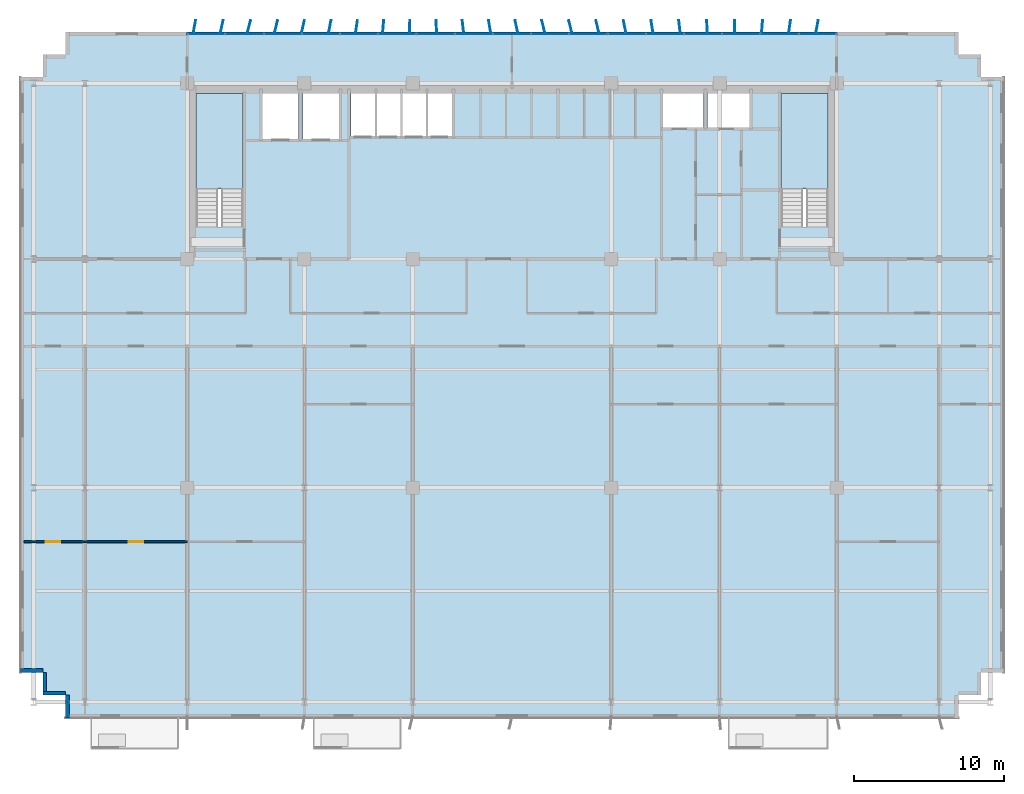
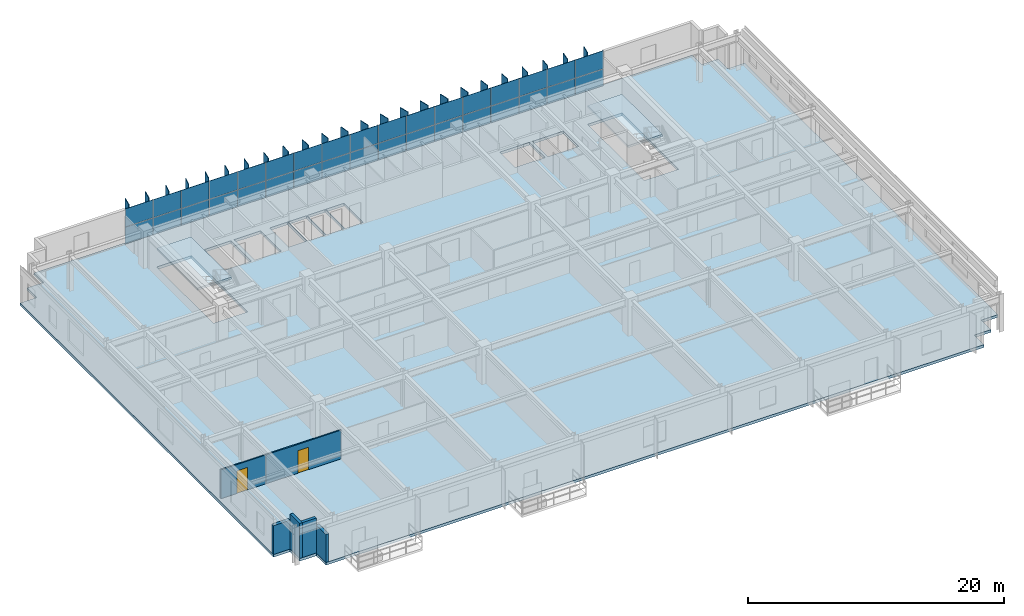
# One storey, part 14 of 21: 58 plates, 6 walls, 3 slabs, 2 doors, 2 openings, 3 elements without a shape of their own.
"""IFC4 building model written with IfcOpenShell, lengths in metres."""

from ifc_helpers import new_model, si_unit, direction, frame, frame_2d, origin, origin_2d, place, context, subcontext, project, spatial, polyline, rectangle, outline, extrude, source, transform, mapped, material, layer, layer_set, type_object, element, fill, aggregate, save


model = new_model("IFC4")

# Units and contexts
model_context = context("Model", 3, precision=1e-05, world=origin(), true_north=direction((0.0, 1.0)))
body_context = subcontext(model_context, "Body", "Model", "MODEL_VIEW")
ifc_project = project(units=[si_unit("LENGTHUNIT", "METRE"), si_unit("AREAUNIT", "SQUARE_METRE"), si_unit("VOLUMEUNIT", "CUBIC_METRE"), si_unit("PLANEANGLEUNIT", "RADIAN"), si_unit("MASSUNIT", "GRAM", prefix="KILO")], contexts=[model_context])

# Site, building, storey
site_placement = place(None, origin())
site = spatial("IfcSite", under=ifc_project, at=site_placement, CompositionType="ELEMENT")
building_placement = place(site_placement, origin())
building = spatial("IfcBuilding", under=site, at=building_placement, Name="Trelvane Seafront Commons", CompositionType="ELEMENT")
storey_placement = place(building_placement, frame((0.0, 0.0, 37.89990234375)))
storey = spatial("IfcBuildingStorey", under=building, at=storey_placement, Name="L09", CompositionType="ELEMENT", Elevation=37.89990234375)

# Stair, slab
ifc_material_1 = material(Name="Concrete C40/50", Category="concrete")
stair_type_1 = type_object("IfcStairType", Name="ARCH-STR-ST-1-R20-180", PredefinedType="HALF_TURN_STAIR", material=ifc_material_1)
stair_1_placement = place(storey_placement, origin())
stair_1 = element("IfcStair", 1, at=stair_1_placement, inside=storey, type_object=stair_type_1, Name="L09 West Protected Firefighting Exit Stair ST-1", PredefinedType="HALF_TURN_STAIR")
ifc_layer_1 = layer(ifc_material_1, 0.199951171875, Name="ARCH-LND-200")
ifc_layer_set_1 = layer_set([ifc_layer_1], Name="Concrete C40/50")
slab_type_1 = type_object("IfcSlabType", Name="ARCH-LND-200", PredefinedType="LANDING", material=ifc_layer_set_1)
slab_1_placement = place(storey_placement, frame((0.0, 0.0, 1.60009765625)))
slab_1 = element("IfcSlab", 2, at=slab_1_placement, type_object=slab_type_1, Name="ST-1 landing 1", PredefinedType="LANDING", context=body_context, shape_type="SweptSolid", body=[
    extrude(outline(polyline([(19.300048828125, 38.070068359375), (19.300048828125, 44.39990234375), (16.199951171875, 44.39990234375), (16.199951171875, 38.070068359375), (19.300048828125, 38.070068359375)])), origin(), (0.0, 0.0, 1.0), 0.199951171875),
])
aggregate(stair_1, [slab_1])

stair_type_2 = type_object("IfcStairType", Name="ARCH-STR-ST-2-R20-180", PredefinedType="HALF_TURN_STAIR", material=ifc_material_1)
stair_2_placement = place(storey_placement, origin())
stair_2 = element("IfcStair", 3, at=stair_2_placement, inside=storey, type_object=stair_type_2, Name="L09 East Protected Firefighting Exit Stair ST-2", PredefinedType="HALF_TURN_STAIR")
slab_2_placement = place(storey_placement, frame((0.0, 0.0, 1.60009765625)))
slab_2 = element("IfcSlab", 4, at=slab_2_placement, type_object=slab_type_1, Name="ST-2 landing 1", PredefinedType="LANDING", context=body_context, shape_type="SweptSolid", body=[
    extrude(outline(polyline([(58.199951171875, 38.070068359375), (58.199951171875, 44.39990234375), (55.10009765625, 44.39990234375), (55.10009765625, 38.070068359375), (58.199951171875, 38.070068359375)])), origin(), (0.0, 0.0, 1.0), 0.199951171875),
])
aggregate(stair_2, [slab_2])

# Slab
ifc_material_2 = material(Name="Concrete C50/60", Category="concrete")
ifc_layer_2 = layer(ifc_material_2, 0.260009765625, Name="STR-SLB-Z1-260")
ifc_layer_set_2 = layer_set([ifc_layer_2], Name="Concrete C50/60")
slab_type_2 = type_object("IfcSlabType", Name="STR-SLB-Z1-260", PredefinedType="FLOOR", material=ifc_layer_set_2)
slab_3_placement = place(storey_placement, frame((0.0, 0.0, -0.260009765625)))
element("IfcSlab", 5, at=slab_3_placement, inside=storey, type_object=slab_type_2, Name="L09 Structural Floor Slab", PredefinedType="FLOOR", context=body_context, shape_type="SweptSolid", body=[
    extrude(outline(polyline([(7.5, 2.89990234375), (66.89990234375, 2.89990234375), (66.89990234375, 4.39990234375), (68.39990234375, 4.39990234375), (68.39990234375, 5.89990234375), (69.89990234375, 5.89990234375), (69.89990234375, 45.5), (68.39990234375, 45.5), (68.39990234375, 47.0), (66.89990234375, 47.0), (66.89990234375, 48.5), (7.5, 48.5), (7.5, 47.0), (6.0, 47.0), (6.0, 45.5), (4.5, 45.5), (4.5, 5.89990234375), (6.0, 5.89990234375), (6.0, 4.39990234375), (7.5, 4.39990234375), (7.5, 2.89990234375)]), holes=[polyline([(19.300048828125, 35.550048828125), (16.199951171875, 35.550048828125), (16.199951171875, 44.39990234375), (19.300048828125, 44.39990234375), (19.300048828125, 35.550048828125)]), polyline([(58.199951171875, 35.550048828125), (55.10009765625, 35.550048828125), (55.10009765625, 44.39990234375), (58.199951171875, 44.39990234375), (58.199951171875, 35.550048828125)]), polyline([(23.0, 41.39990234375), (20.60009765625, 41.39990234375), (20.60009765625, 44.60009765625), (23.0, 44.60009765625), (23.0, 41.39990234375)]), polyline([(23.300048828125, 41.39990234375), (23.300048828125, 44.60009765625), (25.699951171875, 44.60009765625), (25.699951171875, 41.39990234375), (23.300048828125, 41.39990234375)]), polyline([(26.5, 41.60009765625), (26.5, 44.60009765625), (28.1201171875, 44.60009765625), (28.1201171875, 41.60009765625), (26.5, 41.60009765625)]), polyline([(29.820068359375, 41.60009765625), (28.199951171875, 41.60009765625), (28.199951171875, 44.60009765625), (29.820068359375, 44.60009765625), (29.820068359375, 41.60009765625)]), polyline([(31.52001953125, 41.60009765625), (29.89990234375, 41.60009765625), (29.89990234375, 44.60009765625), (31.52001953125, 44.60009765625), (31.52001953125, 41.60009765625)]), polyline([(33.219970703125, 41.60009765625), (31.60009765625, 41.60009765625), (31.60009765625, 44.60009765625), (33.219970703125, 44.60009765625), (33.219970703125, 41.60009765625)]), polyline([(47.25, 42.14990234375), (47.25, 44.550048828125), (49.949951171875, 44.550048828125), (49.949951171875, 42.14990234375), (47.25, 42.14990234375)]), polyline([(50.199951171875, 42.14990234375), (50.199951171875, 44.550048828125), (53.0, 44.550048828125), (53.0, 42.14990234375), (50.199951171875, 42.14990234375)])]), origin(), (0.0, 0.0, 1.0), 0.260009765625),
])

# Curtain wall, plates
ifc_material_3 = material(Name="Anodised pale-silver aluminium", Category="aluminium")
curtain_wall_type = type_object("IfcCurtainWallType", Name="ARCH-CW2-LOWTOWER", PredefinedType="NOTDEFINED", material=ifc_material_3)
curtain_wall_placement = place(storey_placement, origin())
curtain_wall = element("IfcCurtainWall", 6, at=curtain_wall_placement, inside=storey, type_object=curtain_wall_type, Name="CW-L09-0033", PredefinedType="NOTDEFINED")
ifc_material_4 = material(Name="Low-E coastal double glazing", Category="glass")
ifc_layer_3 = layer(ifc_material_4, 0.033935546875, Name="ARCH-CW-GLAZ-34")
ifc_layer_set_3 = layer_set([ifc_layer_3], Name="Low-E coastal double glazing")
plate_type_1 = type_object("IfcPlateType", Name="ARCH-CW-GLAZ-34", PredefinedType="CURTAIN_PANEL", material=ifc_layer_set_3)
shared_shape_1 = source(origin(), body_context, "Body", "SweptSolid", [
    extrude(rectangle(XDim=2.51708984375, YDim=0.031982421875, at=origin_2d()), origin(), (0.0, 0.0, 1.0), 1.5849609375),
])
plate_1_placement = place(storey_placement, frame((16.87060546875, 48.3701171875, 0.0), z_axis=(0.0, 0.0, 1.0), x_axis=(1.0, 0.0, 0.0)))
plate_1 = element("IfcPlate", 7, at=plate_1_placement, type_object=plate_type_1, Name="CW-L09-0033-P00-1", PredefinedType="CURTAIN_PANEL", context=body_context, shape_type="MappedRepresentation", body=[
    mapped(shared_shape_1, transform((0.0, 0.0, 0.0), x_axis=(1.0, 0.0, 0.0), y_axis=(0.0, 1.0, 0.0), z_axis=(0.0, 0.0, 1.0), scale=1.0)),
])
plate_2_placement = place(storey_placement, frame((19.411865234375, 48.3701171875, 0.0), z_axis=(0.0, 0.0, 1.0), x_axis=(1.0, 0.0, 0.0)))
plate_2 = element("IfcPlate", 8, at=plate_2_placement, type_object=plate_type_1, Name="CW-L09-0033-P01-1", PredefinedType="CURTAIN_PANEL", context=body_context, shape_type="MappedRepresentation", body=[
    mapped(shared_shape_1, transform((0.0, 0.0, 0.0), x_axis=(1.0, 0.0, 0.0), y_axis=(0.0, 1.0, 0.0), z_axis=(0.0, 0.0, 1.0), scale=1.0)),
])
plate_3_placement = place(storey_placement, frame((21.952880859375, 48.3701171875, 0.0), z_axis=(0.0, 0.0, 1.0), x_axis=(1.0, 0.0, 0.0)))
plate_3 = element("IfcPlate", 9, at=plate_3_placement, type_object=plate_type_1, Name="CW-L09-0033-P02-1", PredefinedType="CURTAIN_PANEL", context=body_context, shape_type="MappedRepresentation", body=[
    mapped(shared_shape_1, transform((0.0, 0.0, 0.0), x_axis=(1.0, 0.0, 0.0), y_axis=(0.0, 1.0, 0.0), z_axis=(0.0, 0.0, 1.0), scale=1.0)),
])
plate_4_placement = place(storey_placement, frame((24.494140625, 48.3701171875, 0.0), z_axis=(0.0, 0.0, 1.0), x_axis=(1.0, 0.0, 0.0)))
plate_4 = element("IfcPlate", 10, at=plate_4_placement, type_object=plate_type_1, Name="CW-L09-0033-P03-1", PredefinedType="CURTAIN_PANEL", context=body_context, shape_type="MappedRepresentation", body=[
    mapped(shared_shape_1, transform((0.0, 0.0, 0.0), x_axis=(1.0, 0.0, 0.0), y_axis=(0.0, 1.0, 0.0), z_axis=(0.0, 0.0, 1.0), scale=1.0)),
])
plate_5_placement = place(storey_placement, frame((27.035400390625, 48.3701171875, 0.0), z_axis=(0.0, 0.0, 1.0), x_axis=(1.0, 0.0, 0.0)))
plate_5 = element("IfcPlate", 11, at=plate_5_placement, type_object=plate_type_1, Name="CW-L09-0033-P04-1", PredefinedType="CURTAIN_PANEL", context=body_context, shape_type="MappedRepresentation", body=[
    mapped(shared_shape_1, transform((0.0, 0.0, 0.0), x_axis=(1.0, 0.0, 0.0), y_axis=(0.0, 1.0, 0.0), z_axis=(0.0, 0.0, 1.0), scale=1.0)),
])
plate_6_placement = place(storey_placement, frame((29.576416015625, 48.3701171875, 0.0), z_axis=(0.0, 0.0, 1.0), x_axis=(1.0, 0.0, 0.0)))
plate_6 = element("IfcPlate", 12, at=plate_6_placement, type_object=plate_type_1, Name="CW-L09-0033-P05-1", PredefinedType="CURTAIN_PANEL", context=body_context, shape_type="MappedRepresentation", body=[
    mapped(shared_shape_1, transform((0.0, 0.0, 0.0), x_axis=(1.0, 0.0, 0.0), y_axis=(0.0, 1.0, 0.0), z_axis=(0.0, 0.0, 1.0), scale=1.0)),
])
plate_7_placement = place(storey_placement, frame((32.11767578125, 48.3701171875, 0.0), z_axis=(0.0, 0.0, 1.0), x_axis=(1.0, 0.0, 0.0)))
plate_7 = element("IfcPlate", 13, at=plate_7_placement, type_object=plate_type_1, Name="CW-L09-0033-P06-1", PredefinedType="CURTAIN_PANEL", context=body_context, shape_type="MappedRepresentation", body=[
    mapped(shared_shape_1, transform((0.0, 0.0, 0.0), x_axis=(1.0, 0.0, 0.0), y_axis=(0.0, 1.0, 0.0), z_axis=(0.0, 0.0, 1.0), scale=1.0)),
])
plate_8_placement = place(storey_placement, frame((34.65869140625, 48.3701171875, 0.0), z_axis=(0.0, 0.0, 1.0), x_axis=(1.0, 0.0, 0.0)))
plate_8 = element("IfcPlate", 14, at=plate_8_placement, type_object=plate_type_1, Name="CW-L09-0033-P07-1", PredefinedType="CURTAIN_PANEL", context=body_context, shape_type="MappedRepresentation", body=[
    mapped(shared_shape_1, transform((0.0, 0.0, 0.0), x_axis=(1.0, 0.0, 0.0), y_axis=(0.0, 1.0, 0.0), z_axis=(0.0, 0.0, 1.0), scale=1.0)),
])
plate_9_placement = place(storey_placement, frame((37.199951171875, 48.3701171875, 0.0), z_axis=(0.0, 0.0, 1.0), x_axis=(1.0, 0.0, 0.0)))
plate_9 = element("IfcPlate", 15, at=plate_9_placement, type_object=plate_type_1, Name="CW-L09-0033-P08-1", PredefinedType="CURTAIN_PANEL", context=body_context, shape_type="MappedRepresentation", body=[
    mapped(shared_shape_1, transform((0.0, 0.0, 0.0), x_axis=(1.0, 0.0, 0.0), y_axis=(0.0, 1.0, 0.0), z_axis=(0.0, 0.0, 1.0), scale=1.0)),
])
plate_10_placement = place(storey_placement, frame((39.7412109375, 48.3701171875, 0.0), z_axis=(0.0, 0.0, 1.0), x_axis=(1.0, 0.0, 0.0)))
plate_10 = element("IfcPlate", 16, at=plate_10_placement, type_object=plate_type_1, Name="CW-L09-0033-P09-1", PredefinedType="CURTAIN_PANEL", context=body_context, shape_type="MappedRepresentation", body=[
    mapped(shared_shape_1, transform((0.0, 0.0, 0.0), x_axis=(1.0, 0.0, 0.0), y_axis=(0.0, 1.0, 0.0), z_axis=(0.0, 0.0, 1.0), scale=1.0)),
])
plate_11_placement = place(storey_placement, frame((42.282470703125, 48.3701171875, 0.0), z_axis=(0.0, 0.0, 1.0), x_axis=(1.0, 0.0, 0.0)))
plate_11 = element("IfcPlate", 17, at=plate_11_placement, type_object=plate_type_1, Name="CW-L09-0033-P10-1", PredefinedType="CURTAIN_PANEL", context=body_context, shape_type="MappedRepresentation", body=[
    mapped(shared_shape_1, transform((0.0, 0.0, 0.0), x_axis=(1.0, 0.0, 0.0), y_axis=(0.0, 1.0, 0.0), z_axis=(0.0, 0.0, 1.0), scale=1.0)),
])
plate_12_placement = place(storey_placement, frame((44.823486328125, 48.3701171875, 0.0), z_axis=(0.0, 0.0, 1.0), x_axis=(1.0, 0.0, 0.0)))
plate_12 = element("IfcPlate", 18, at=plate_12_placement, type_object=plate_type_1, Name="CW-L09-0033-P11-1", PredefinedType="CURTAIN_PANEL", context=body_context, shape_type="MappedRepresentation", body=[
    mapped(shared_shape_1, transform((0.0, 0.0, 0.0), x_axis=(1.0, 0.0, 0.0), y_axis=(0.0, 1.0, 0.0), z_axis=(0.0, 0.0, 1.0), scale=1.0)),
])
plate_13_placement = place(storey_placement, frame((47.36474609375, 48.3701171875, 0.0), z_axis=(0.0, 0.0, 1.0), x_axis=(1.0, 0.0, 0.0)))
plate_13 = element("IfcPlate", 19, at=plate_13_placement, type_object=plate_type_1, Name="CW-L09-0033-P12-1", PredefinedType="CURTAIN_PANEL", context=body_context, shape_type="MappedRepresentation", body=[
    mapped(shared_shape_1, transform((0.0, 0.0, 0.0), x_axis=(1.0, 0.0, 0.0), y_axis=(0.0, 1.0, 0.0), z_axis=(0.0, 0.0, 1.0), scale=1.0)),
])
plate_14_placement = place(storey_placement, frame((49.906005859375, 48.3701171875, 0.0), z_axis=(0.0, 0.0, 1.0), x_axis=(1.0, 0.0, 0.0)))
plate_14 = element("IfcPlate", 20, at=plate_14_placement, type_object=plate_type_1, Name="CW-L09-0033-P13-1", PredefinedType="CURTAIN_PANEL", context=body_context, shape_type="MappedRepresentation", body=[
    mapped(shared_shape_1, transform((0.0, 0.0, 0.0), x_axis=(1.0, 0.0, 0.0), y_axis=(0.0, 1.0, 0.0), z_axis=(0.0, 0.0, 1.0), scale=1.0)),
])
plate_15_placement = place(storey_placement, frame((52.447021484375, 48.3701171875, 0.0), z_axis=(0.0, 0.0, 1.0), x_axis=(1.0, 0.0, 0.0)))
plate_15 = element("IfcPlate", 21, at=plate_15_placement, type_object=plate_type_1, Name="CW-L09-0033-P14-1", PredefinedType="CURTAIN_PANEL", context=body_context, shape_type="MappedRepresentation", body=[
    mapped(shared_shape_1, transform((0.0, 0.0, 0.0), x_axis=(1.0, 0.0, 0.0), y_axis=(0.0, 1.0, 0.0), z_axis=(0.0, 0.0, 1.0), scale=1.0)),
])
plate_16_placement = place(storey_placement, frame((54.98828125, 48.3701171875, 0.0), z_axis=(0.0, 0.0, 1.0), x_axis=(1.0, 0.0, 0.0)))
plate_16 = element("IfcPlate", 22, at=plate_16_placement, type_object=plate_type_1, Name="CW-L09-0033-P15-1", PredefinedType="CURTAIN_PANEL", context=body_context, shape_type="MappedRepresentation", body=[
    mapped(shared_shape_1, transform((0.0, 0.0, 0.0), x_axis=(1.0, 0.0, 0.0), y_axis=(0.0, 1.0, 0.0), z_axis=(0.0, 0.0, 1.0), scale=1.0)),
])
plate_17_placement = place(storey_placement, frame((57.529296875, 48.3701171875, 0.0), z_axis=(0.0, 0.0, 1.0), x_axis=(1.0, 0.0, 0.0)))
plate_17 = element("IfcPlate", 23, at=plate_17_placement, type_object=plate_type_1, Name="CW-L09-0033-P16-1", PredefinedType="CURTAIN_PANEL", context=body_context, shape_type="MappedRepresentation", body=[
    mapped(shared_shape_1, transform((0.0, 0.0, 0.0), x_axis=(1.0, 0.0, 0.0), y_axis=(0.0, 1.0, 0.0), z_axis=(0.0, 0.0, 1.0), scale=1.0)),
])
shared_shape_2 = source(origin(), body_context, "Body", "SweptSolid", [
    extrude(rectangle(XDim=2.51708984375, YDim=0.031982421875, at=origin_2d()), origin(), (0.0, 0.0, 1.0), 1.718994140625),
])
plate_18_placement = place(storey_placement, frame((16.87060546875, 48.3701171875, 1.62109375), z_axis=(0.0, 0.0, 1.0), x_axis=(1.0, 0.0, 0.0)))
plate_18 = element("IfcPlate", 24, at=plate_18_placement, type_object=plate_type_1, Name="CW-L09-0033-P00-2", PredefinedType="CURTAIN_PANEL", context=body_context, shape_type="MappedRepresentation", body=[
    mapped(shared_shape_2, transform((0.0, 0.0, 0.0), x_axis=(1.0, 0.0, 0.0), y_axis=(0.0, 1.0, 0.0), z_axis=(0.0, 0.0, 1.0), scale=1.0)),
])
plate_19_placement = place(storey_placement, frame((19.411865234375, 48.3701171875, 1.62109375), z_axis=(0.0, 0.0, 1.0), x_axis=(1.0, 0.0, 0.0)))
plate_19 = element("IfcPlate", 25, at=plate_19_placement, type_object=plate_type_1, Name="CW-L09-0033-P01-2", PredefinedType="CURTAIN_PANEL", context=body_context, shape_type="MappedRepresentation", body=[
    mapped(shared_shape_2, transform((0.0, 0.0, 0.0), x_axis=(1.0, 0.0, 0.0), y_axis=(0.0, 1.0, 0.0), z_axis=(0.0, 0.0, 1.0), scale=1.0)),
])
plate_20_placement = place(storey_placement, frame((21.952880859375, 48.3701171875, 1.62109375), z_axis=(0.0, 0.0, 1.0), x_axis=(1.0, 0.0, 0.0)))
plate_20 = element("IfcPlate", 26, at=plate_20_placement, type_object=plate_type_1, Name="CW-L09-0033-P02-2", PredefinedType="CURTAIN_PANEL", context=body_context, shape_type="MappedRepresentation", body=[
    mapped(shared_shape_2, transform((0.0, 0.0, 0.0), x_axis=(1.0, 0.0, 0.0), y_axis=(0.0, 1.0, 0.0), z_axis=(0.0, 0.0, 1.0), scale=1.0)),
])
plate_21_placement = place(storey_placement, frame((24.494140625, 48.3701171875, 1.62109375), z_axis=(0.0, 0.0, 1.0), x_axis=(1.0, 0.0, 0.0)))
plate_21 = element("IfcPlate", 27, at=plate_21_placement, type_object=plate_type_1, Name="CW-L09-0033-P03-2", PredefinedType="CURTAIN_PANEL", context=body_context, shape_type="MappedRepresentation", body=[
    mapped(shared_shape_2, transform((0.0, 0.0, 0.0), x_axis=(1.0, 0.0, 0.0), y_axis=(0.0, 1.0, 0.0), z_axis=(0.0, 0.0, 1.0), scale=1.0)),
])
plate_22_placement = place(storey_placement, frame((27.035400390625, 48.3701171875, 1.62109375), z_axis=(0.0, 0.0, 1.0), x_axis=(1.0, 0.0, 0.0)))
plate_22 = element("IfcPlate", 28, at=plate_22_placement, type_object=plate_type_1, Name="CW-L09-0033-P04-2", PredefinedType="CURTAIN_PANEL", context=body_context, shape_type="MappedRepresentation", body=[
    mapped(shared_shape_2, transform((0.0, 0.0, 0.0), x_axis=(1.0, 0.0, 0.0), y_axis=(0.0, 1.0, 0.0), z_axis=(0.0, 0.0, 1.0), scale=1.0)),
])
plate_23_placement = place(storey_placement, frame((29.576416015625, 48.3701171875, 1.62109375), z_axis=(0.0, 0.0, 1.0), x_axis=(1.0, 0.0, 0.0)))
plate_23 = element("IfcPlate", 29, at=plate_23_placement, type_object=plate_type_1, Name="CW-L09-0033-P05-2", PredefinedType="CURTAIN_PANEL", context=body_context, shape_type="MappedRepresentation", body=[
    mapped(shared_shape_2, transform((0.0, 0.0, 0.0), x_axis=(1.0, 0.0, 0.0), y_axis=(0.0, 1.0, 0.0), z_axis=(0.0, 0.0, 1.0), scale=1.0)),
])
plate_24_placement = place(storey_placement, frame((32.11767578125, 48.3701171875, 1.62109375), z_axis=(0.0, 0.0, 1.0), x_axis=(1.0, 0.0, 0.0)))
plate_24 = element("IfcPlate", 30, at=plate_24_placement, type_object=plate_type_1, Name="CW-L09-0033-P06-2", PredefinedType="CURTAIN_PANEL", context=body_context, shape_type="MappedRepresentation", body=[
    mapped(shared_shape_2, transform((0.0, 0.0, 0.0), x_axis=(1.0, 0.0, 0.0), y_axis=(0.0, 1.0, 0.0), z_axis=(0.0, 0.0, 1.0), scale=1.0)),
])
plate_25_placement = place(storey_placement, frame((34.65869140625, 48.3701171875, 1.62109375), z_axis=(0.0, 0.0, 1.0), x_axis=(1.0, 0.0, 0.0)))
plate_25 = element("IfcPlate", 31, at=plate_25_placement, type_object=plate_type_1, Name="CW-L09-0033-P07-2", PredefinedType="CURTAIN_PANEL", context=body_context, shape_type="MappedRepresentation", body=[
    mapped(shared_shape_2, transform((0.0, 0.0, 0.0), x_axis=(1.0, 0.0, 0.0), y_axis=(0.0, 1.0, 0.0), z_axis=(0.0, 0.0, 1.0), scale=1.0)),
])
plate_26_placement = place(storey_placement, frame((37.199951171875, 48.3701171875, 1.62109375), z_axis=(0.0, 0.0, 1.0), x_axis=(1.0, 0.0, 0.0)))
plate_26 = element("IfcPlate", 32, at=plate_26_placement, type_object=plate_type_1, Name="CW-L09-0033-P08-2", PredefinedType="CURTAIN_PANEL", context=body_context, shape_type="MappedRepresentation", body=[
    mapped(shared_shape_2, transform((0.0, 0.0, 0.0), x_axis=(1.0, 0.0, 0.0), y_axis=(0.0, 1.0, 0.0), z_axis=(0.0, 0.0, 1.0), scale=1.0)),
])
plate_27_placement = place(storey_placement, frame((39.7412109375, 48.3701171875, 1.62109375), z_axis=(0.0, 0.0, 1.0), x_axis=(1.0, 0.0, 0.0)))
plate_27 = element("IfcPlate", 33, at=plate_27_placement, type_object=plate_type_1, Name="CW-L09-0033-P09-2", PredefinedType="CURTAIN_PANEL", context=body_context, shape_type="MappedRepresentation", body=[
    mapped(shared_shape_2, transform((0.0, 0.0, 0.0), x_axis=(1.0, 0.0, 0.0), y_axis=(0.0, 1.0, 0.0), z_axis=(0.0, 0.0, 1.0), scale=1.0)),
])
plate_28_placement = place(storey_placement, frame((42.282470703125, 48.3701171875, 1.62109375), z_axis=(0.0, 0.0, 1.0), x_axis=(1.0, 0.0, 0.0)))
plate_28 = element("IfcPlate", 34, at=plate_28_placement, type_object=plate_type_1, Name="CW-L09-0033-P10-2", PredefinedType="CURTAIN_PANEL", context=body_context, shape_type="MappedRepresentation", body=[
    mapped(shared_shape_2, transform((0.0, 0.0, 0.0), x_axis=(1.0, 0.0, 0.0), y_axis=(0.0, 1.0, 0.0), z_axis=(0.0, 0.0, 1.0), scale=1.0)),
])
plate_29_placement = place(storey_placement, frame((44.823486328125, 48.3701171875, 1.62109375), z_axis=(0.0, 0.0, 1.0), x_axis=(1.0, 0.0, 0.0)))
plate_29 = element("IfcPlate", 35, at=plate_29_placement, type_object=plate_type_1, Name="CW-L09-0033-P11-2", PredefinedType="CURTAIN_PANEL", context=body_context, shape_type="MappedRepresentation", body=[
    mapped(shared_shape_2, transform((0.0, 0.0, 0.0), x_axis=(1.0, 0.0, 0.0), y_axis=(0.0, 1.0, 0.0), z_axis=(0.0, 0.0, 1.0), scale=1.0)),
])
plate_30_placement = place(storey_placement, frame((47.36474609375, 48.3701171875, 1.62109375), z_axis=(0.0, 0.0, 1.0), x_axis=(1.0, 0.0, 0.0)))
plate_30 = element("IfcPlate", 36, at=plate_30_placement, type_object=plate_type_1, Name="CW-L09-0033-P12-2", PredefinedType="CURTAIN_PANEL", context=body_context, shape_type="MappedRepresentation", body=[
    mapped(shared_shape_2, transform((0.0, 0.0, 0.0), x_axis=(1.0, 0.0, 0.0), y_axis=(0.0, 1.0, 0.0), z_axis=(0.0, 0.0, 1.0), scale=1.0)),
])
plate_31_placement = place(storey_placement, frame((49.906005859375, 48.3701171875, 1.62109375), z_axis=(0.0, 0.0, 1.0), x_axis=(1.0, 0.0, 0.0)))
plate_31 = element("IfcPlate", 37, at=plate_31_placement, type_object=plate_type_1, Name="CW-L09-0033-P13-2", PredefinedType="CURTAIN_PANEL", context=body_context, shape_type="MappedRepresentation", body=[
    mapped(shared_shape_2, transform((0.0, 0.0, 0.0), x_axis=(1.0, 0.0, 0.0), y_axis=(0.0, 1.0, 0.0), z_axis=(0.0, 0.0, 1.0), scale=1.0)),
])
plate_32_placement = place(storey_placement, frame((52.447021484375, 48.3701171875, 1.62109375), z_axis=(0.0, 0.0, 1.0), x_axis=(1.0, 0.0, 0.0)))
plate_32 = element("IfcPlate", 38, at=plate_32_placement, type_object=plate_type_1, Name="CW-L09-0033-P14-2", PredefinedType="CURTAIN_PANEL", context=body_context, shape_type="MappedRepresentation", body=[
    mapped(shared_shape_2, transform((0.0, 0.0, 0.0), x_axis=(1.0, 0.0, 0.0), y_axis=(0.0, 1.0, 0.0), z_axis=(0.0, 0.0, 1.0), scale=1.0)),
])
plate_33_placement = place(storey_placement, frame((54.98828125, 48.3701171875, 1.62109375), z_axis=(0.0, 0.0, 1.0), x_axis=(1.0, 0.0, 0.0)))
plate_33 = element("IfcPlate", 39, at=plate_33_placement, type_object=plate_type_1, Name="CW-L09-0033-P15-2", PredefinedType="CURTAIN_PANEL", context=body_context, shape_type="MappedRepresentation", body=[
    mapped(shared_shape_2, transform((0.0, 0.0, 0.0), x_axis=(1.0, 0.0, 0.0), y_axis=(0.0, 1.0, 0.0), z_axis=(0.0, 0.0, 1.0), scale=1.0)),
])
plate_34_placement = place(storey_placement, frame((57.529296875, 48.3701171875, 1.62109375), z_axis=(0.0, 0.0, 1.0), x_axis=(1.0, 0.0, 0.0)))
plate_34 = element("IfcPlate", 40, at=plate_34_placement, type_object=plate_type_1, Name="CW-L09-0033-P16-2", PredefinedType="CURTAIN_PANEL", context=body_context, shape_type="MappedRepresentation", body=[
    mapped(shared_shape_2, transform((0.0, 0.0, 0.0), x_axis=(1.0, 0.0, 0.0), y_axis=(0.0, 1.0, 0.0), z_axis=(0.0, 0.0, 1.0), scale=1.0)),
])
aggregate(curtain_wall, [plate_1, plate_18, plate_2, plate_19, plate_3, plate_20, plate_4, plate_21, plate_5, plate_22, plate_6, plate_23, plate_7, plate_24, plate_8, plate_25, plate_9, plate_26, plate_10, plate_27, plate_11, plate_28, plate_12, plate_29, plate_13, plate_30, plate_14, plate_31, plate_15, plate_32, plate_16, plate_33, plate_17, plate_34])

# Plates
ifc_layer_4 = layer(ifc_material_3, 0.06005859375, Name="ARCH-PLATE-FIN900")
ifc_layer_set_4 = layer_set([ifc_layer_4], Name="Anodised pale-silver aluminium")
plate_type_2 = type_object("IfcPlateType", Name="ARCH-PLATE-FIN900", PredefinedType="USERDEFINED", material=ifc_layer_set_4)
shared_shape_3 = source(origin(), body_context, "Body", "SweptSolid", [
    extrude(rectangle(XDim=0.89990234375, YDim=0.06005859375, at=origin_2d()), origin(), (0.0, 0.0, 1.0), 3.639892578125),
])
for number, where, z_axis, x_axis, name in (
    (41, (16.084228515625, 48.842041015625, -0.02001953125), (0.0, 0.0, 1.0), (0.187220157085, 0.982317979465, 0.0), "FIN-L09-00132"),
    (42, (17.899658203125, 48.8388671875, -0.02001953125), (0.0, 0.0, 1.0), (0.221458292967, 0.975169843912, 0.0), "FIN-L09-00133"),
    (43, (19.707763671875, 48.8369140625, -0.02001953125), (0.0, 0.0, 1.0), (0.239448623999, 0.970909036144, 0.0), "FIN-L09-00134"),
    (44, (21.508056640625, 48.8369140625, -0.02001953125), (0.0, 0.0, 1.0), (0.239999316129, 0.970773057031, 0.0), "FIN-L09-00135"),
    (45, (23.30029296875, 48.838623046875, -0.02001953125), (0.0, 0.0, 1.0), (0.223008527507, 0.974816493838, 0.0), "FIN-L09-00136"),
    (46, (25.085205078125, 48.841796875, -0.02001953125), (0.0, 0.0, 1.0), (0.189551304372, 0.981870817883, 0.0), "FIN-L09-00137"),
    (47, (26.864013671875, 48.845458984375, -0.02001953125), (0.0, 0.0, 1.0), (0.141996644989, 0.98986713897, 0.0), "FIN-L09-00138"),
    (48, (28.6376953125, 48.848388671875, -0.02001953125), (0.0, 0.0, 1.0), (0.08355088046, 0.996503512475, 0.0), "FIN-L09-00139"),
    (49, (30.408203125, 48.849853515625, -0.02001953125), (0.0, 0.0, 1.0), (0.018557020713, 0.999827803665, 0.0), "FIN-L09-00140"),
    (50, (32.178466796875, 48.849609375, -0.02001953125), (0.0, 0.0, 1.0), (-0.0477759025, 0.998858079579, 0.0), "FIN-L09-00141"),
    (51, (33.9501953125, 48.847412109375, -0.02001953125), (0.0, 0.0, 1.0), (-0.110443811827, 0.993882369513, 0.0), "FIN-L09-00142"),
    (52, (35.725830078125, 48.843994140625, -0.02001953125), (0.0, 0.0, 1.0), (-0.164668887219, 0.98634890256, 0.0), "FIN-L09-00143"),
    (53, (37.507080078125, 48.84033203125, -0.02001953125), (0.0, 0.0, 1.0), (-0.206340809015, 0.978480184028, 0.0), "FIN-L09-00144"),
    (54, (39.29541015625, 48.837646484375, -0.02001953125), (0.0, 0.0, 1.0), (-0.232561075413, 0.972581794094, 0.0), "FIN-L09-00145"),
    (55, (41.091064453125, 48.836669921875, -0.02001953125), (0.0, 0.0, 1.0), (-0.241881251735, 0.970305859025, 0.0), "FIN-L09-00146"),
    (56, (42.89501953125, 48.837646484375, -0.02001953125), (0.0, 0.0, 1.0), (-0.233662587554, 0.972317743938, 0.0), "FIN-L09-00147"),
    (57, (44.706298828125, 48.840087890625, -0.02001953125), (0.0, 0.0, 1.0), (-0.208215560532, 0.978082961897, 0.0), "FIN-L09-00148"),
    (58, (46.524658203125, 48.843505859375, -0.02001953125), (0.0, 0.0, 1.0), (-0.167334891253, 0.985900113688, 0.0), "FIN-L09-00149"),
    (59, (48.3486328125, 48.846923828125, -0.02001953125), (0.0, 0.0, 1.0), (-0.113895096162, 0.993492781589, 0.0), "FIN-L09-00150"),
    (60, (50.1767578125, 48.849365234375, -0.02001953125), (0.0, 0.0, 1.0), (-0.051555104396, 0.998670151357, 0.0), "FIN-L09-00151"),
    (61, (52.006591796875, 48.849853515625, -0.02001953125), (0.0, 0.0, 1.0), (0.014777164922, 0.999890811737, 0.0), "FIN-L09-00152"),
    (62, (53.8359375, 48.8486328125, -0.02001953125), (0.0, 0.0, 1.0), (0.079890992309, 0.996803606207, 0.0), "FIN-L09-00153"),
    (63, (55.66259765625, 48.845703125, -0.02001953125), (0.0, 0.0, 1.0), (0.138886190048, 0.990308349058, 0.0), "FIN-L09-00154"),
    (64, (57.484375, 48.842041015625, -0.02001953125), (0.0, 0.0, 1.0), (0.187220157085, 0.982317979465, 0.0), "FIN-L09-00155"),
):
    element("IfcPlate", number, at=place(storey_placement, frame(where, z_axis=z_axis, x_axis=x_axis)), inside=storey, type_object=plate_type_2, Name=name, ObjectType="FIN", PredefinedType="USERDEFINED", context=body_context, shape_type="MappedRepresentation", body=[
        mapped(shared_shape_3, transform((0.0, 0.0, 0.0), x_axis=(1.0, 0.0, 0.0), y_axis=(0.0, 1.0, 0.0), z_axis=(0.0, 0.0, 1.0), scale=1.0)),
    ])

# Walls
ifc_material_5 = material(Name="Precast concrete C40/50", Category="concrete")
ifc_layer_5 = layer(ifc_material_5, 0.260009765625, Name="ARCH-WALL-EXT260")
ifc_layer_set_5 = layer_set([ifc_layer_5], Name="Precast concrete C40/50")
wall_type_1 = type_object("IfcWallType", Name="ARCH-WALL-EXT260", PredefinedType="SOLIDWALL", material=ifc_layer_set_5)
for number, where, z_axis, x_axis, name in (
    (65, (7.5, 4.530029296875, 0.0), (0.0, 0.0, 1.0), (-1.0, 0.0, 0.0), "EW-L09-00131"),
    (66, (6.1298828125, 4.39990234375, 0.0), (0.0, 0.0, 1.0), (0.0, 1.0, 0.0), "EW-L09-00132"),
):
    element("IfcWall", number, at=place(storey_placement, frame(where, z_axis=z_axis, x_axis=x_axis)), inside=storey, type_object=wall_type_1, Name=name, PredefinedType="SOLIDWALL", context=body_context, shape_type="SweptSolid", body=[
        extrude(rectangle(XDim=1.5, YDim=0.260009765625, at=frame_2d((0.75, 0.0))), origin(), (0.0, 0.0, 1.0), 3.340087890625),
    ])
wall_1_placement = place(storey_placement, frame((6.0, 6.030029296875, 0.0), z_axis=(0.0, 0.0, 1.0), x_axis=(-1.0, 0.0, 0.0)))
element("IfcWall", 67, at=wall_1_placement, inside=storey, type_object=wall_type_1, Name="EW-L09-00133", PredefinedType="SOLIDWALL", context=body_context, shape_type="SweptSolid", body=[
    extrude(rectangle(XDim=1.5, YDim=0.260009765625, at=frame_2d((0.75, 0.0))), origin(), (0.0, 0.0, 1.0), 2.752197265625),
])
wall_2_placement = place(storey_placement, frame((7.6298828125, 2.89990234375, 0.0), z_axis=(0.0, 0.0, 1.0), x_axis=(0.0, 1.0, 0.0)))
element("IfcWall", 68, at=wall_2_placement, inside=storey, type_object=wall_type_1, Name="EW-L09-00149", PredefinedType="SOLIDWALL", context=body_context, shape_type="SweptSolid", body=[
    extrude(rectangle(XDim=1.5, YDim=0.260009765625, at=frame_2d((0.75, 0.0))), origin(), (0.0, 0.0, 1.0), 2.690185546875),
])

# Wall, opening, door
ifc_material_6 = material(Name="Gypsum Drywall Acoustic Partition")
ifc_layer_6 = layer(ifc_material_6, 0.1201171875, Name="ARCH-WALL-PART120")
ifc_layer_set_6 = layer_set([ifc_layer_6], Name="Gypsum Drywall Acoustic Partition")
wall_type_2 = type_object("IfcWallType", Name="ARCH-WALL-PART120", PredefinedType="PARTITIONING", material=ifc_layer_set_6)
wall_3_placement = place(storey_placement, frame((4.7451171875, 14.60009765625, 0.0), z_axis=(0.0, 0.0, 1.0), x_axis=(1.0, 0.0, 0.0)))
wall_3 = element("IfcWall", 69, at=wall_3_placement, inside=storey, type_object=wall_type_2, Name="W-L09-U1-DIV-063", PredefinedType="PARTITIONING", context=body_context, shape_type="SweptSolid", body=[
    extrude(rectangle(XDim=4.054931640625, YDim=0.1201171875, at=frame_2d((2.02734375, 0.0))), origin(), (0.0, 0.0, 1.0), 2.752197265625),
])
opening_1_placement = place(wall_3_placement, frame((1.4619140625, 0.0, 0.0)))
opening_1 = element("IfcOpeningElement", 70, at=opening_1_placement, cuts=wall_3, Name="Opening D-L09-29", PredefinedType="OPENING", context=body_context, shape_type="SweptSolid", body=[
    extrude(rectangle(XDim=0.949951171875, YDim=2.14990234375, at=frame_2d((0.47509765625, 1.074951171875))), frame((0.0, 0.070068359375, 0.0), z_axis=(0.0, -1.0, 0.0), x_axis=(1.0, 0.0, 0.0)), (0.0, 0.0, 1.0), 0.14013671875),
])
ifc_material_7 = material(Name="Acoustic timber door leaf", Category="wood")
door_type = type_object("IfcDoorType", Name="ARCH-DR-INT950", OperationType="NOTDEFINED", PredefinedType="DOOR", material=ifc_material_7)
shared_shape_4 = source(origin(), body_context, "Body", "SweptSolid", [
    extrude(rectangle(XDim=0.949951171875, YDim=2.14990234375, at=frame_2d((0.47509765625, 1.074951171875))), frame((0.0, 0.02490234375, 0.0), z_axis=(0.0, -1.0, 0.0), x_axis=(1.0, 0.0, 0.0)), (0.0, 0.0, 1.0), 0.050048828125),
])
door_1_placement = place(opening_1_placement, origin())
door_1 = element("IfcDoor", 71, at=door_1_placement, inside=storey, type_object=door_type, Name="L09 Door 29", OperationType="SINGLE_SWING_LEFT", OverallHeight=2.14990234375, OverallWidth=0.949951171875, PredefinedType="DOOR", context=body_context, shape_type="MappedRepresentation", body=[
    mapped(shared_shape_4, transform((0.0, 0.0, 0.0), x_axis=(1.0, 0.0, 0.0), y_axis=(0.0, 1.0, 0.0), z_axis=(0.0, 0.0, 1.0), scale=1.0)),
])
fill(opening_1, door_1)

wall_4_placement = place(storey_placement, frame((8.800048828125, 14.60009765625, 0.0), z_axis=(0.0, 0.0, 1.0), x_axis=(1.0, 0.0, 0.0)))
wall_4 = element("IfcWall", 72, at=wall_4_placement, inside=storey, type_object=wall_type_2, Name="W-L09-U2-DIV-065", PredefinedType="PARTITIONING", context=body_context, shape_type="SweptSolid", body=[
    extrude(rectangle(XDim=6.800048828125, YDim=0.1201171875, at=frame_2d((3.39990234375, 0.0))), origin(), (0.0, 0.0, 1.0), 2.752197265625),
])
opening_2_placement = place(wall_4_placement, frame((2.925048828125, 0.0, 0.0)))
opening_2 = element("IfcOpeningElement", 73, at=opening_2_placement, cuts=wall_4, Name="Opening D-L09-31", PredefinedType="OPENING", context=body_context, shape_type="SweptSolid", body=[
    extrude(rectangle(XDim=0.949951171875, YDim=2.14990234375, at=frame_2d((0.47509765625, 1.074951171875))), frame((0.0, 0.070068359375, 0.0), z_axis=(0.0, -1.0, 0.0), x_axis=(1.0, 0.0, 0.0)), (0.0, 0.0, 1.0), 0.14013671875),
])
door_2_placement = place(opening_2_placement, origin())
door_2 = element("IfcDoor", 74, at=door_2_placement, inside=storey, type_object=door_type, Name="L09 Door 31", OperationType="SINGLE_SWING_LEFT", OverallHeight=2.14990234375, OverallWidth=0.949951171875, PredefinedType="DOOR", context=body_context, shape_type="MappedRepresentation", body=[
    mapped(shared_shape_4, transform((0.0, 0.0, 0.0), x_axis=(1.0, 0.0, 0.0), y_axis=(0.0, 1.0, 0.0), z_axis=(0.0, 0.0, 1.0), scale=1.0)),
])
fill(opening_2, door_2)

save(model, "model.ifc")
